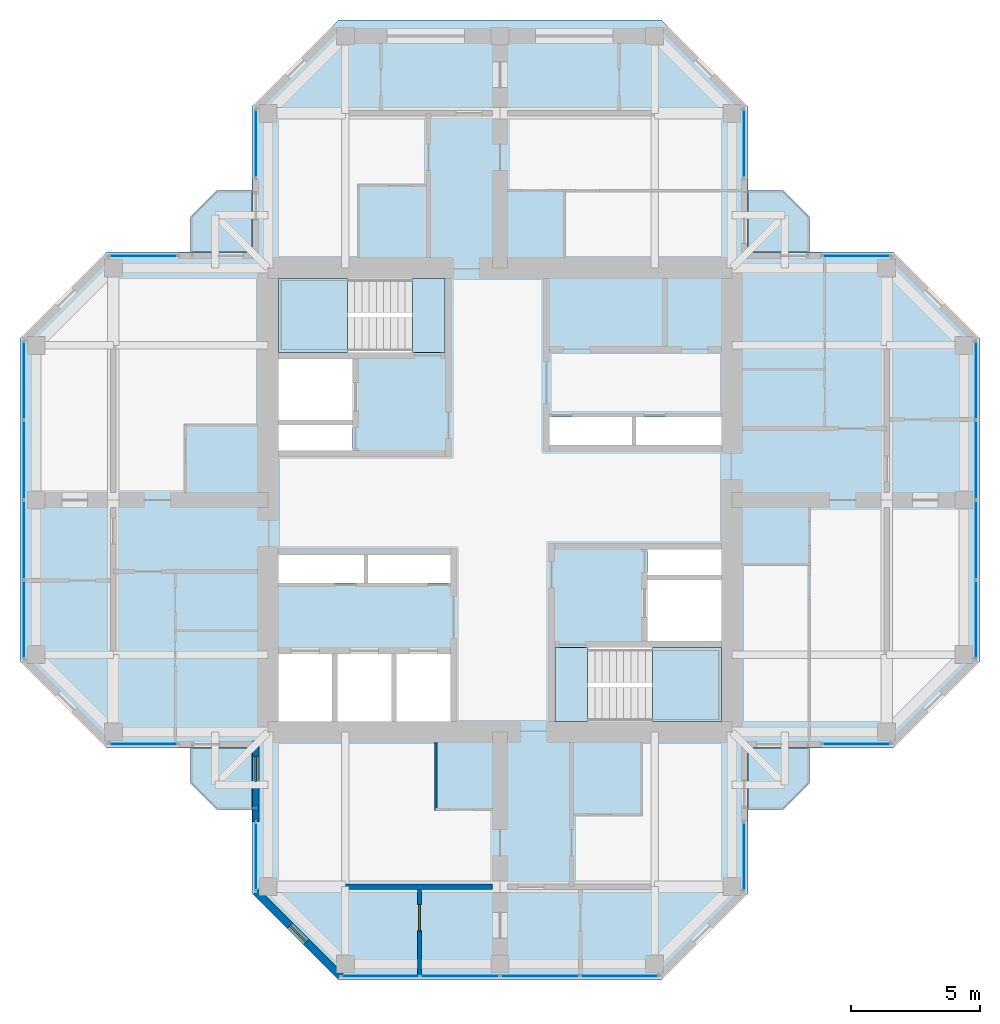
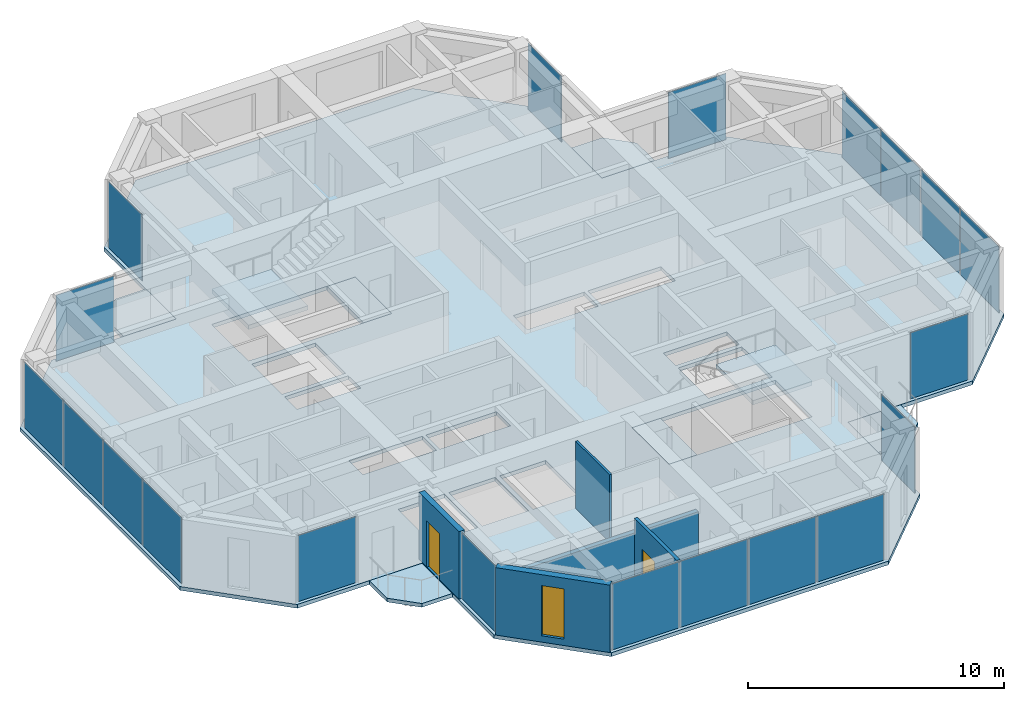
# One storey, part 7 of 13: 20 plates, 9 slabs, 5 walls, 2 doors, 1 window, 3 openings, 13 elements without a shape of their own.
"""IFC4 building model written with IfcOpenShell, lengths in metres."""

import ifcopenshell
import ifcopenshell.guid

model = None  # the IFC model being written
_history = None  # IfcOwnerHistory: only IFC2X3 demands one
_inside = {}  # id of a spatial element -> (the spatial element, [elements in it])
_under = {}  # id of a project, library or spatial element -> (it, [spatial elements below it])
_declared = {}  # id of a project -> (the project, [libraries it declares])
_typed = {}  # id of a type object -> (the type object, [elements of that type])
_made_of = {}  # id of a material, layer set ... -> (it, [elements and type objects made of it])


def new_model(schema):
    """Start an empty IFC model of exactly this schema.

    Asked for "IFC4X3", IfcOpenShell would pick the latest addendum, in which some entities
    have other attributes; the version numbers below select the first issue.
    IFC2X3 requires an IfcOwnerHistory on every rooted entity: one is made here for all.
    """
    global model, _history
    if schema == "IFC4X3":
        model = ifcopenshell.file(schema_version=(4, 3, 0, 0))
    else:
        model = ifcopenshell.file(schema=schema)
    _inside.clear()
    _under.clear()
    _declared.clear()
    _typed.clear()
    _made_of.clear()
    _history = None
    if model.schema == "IFC2X3":
        org = make("IfcOrganization", Name="unknown")
        user = make(
            "IfcPersonAndOrganization",
            ThePerson=make("IfcPerson", FamilyName="unknown"),
            TheOrganization=org,
        )
        app = make(
            "IfcApplication",
            ApplicationDeveloper=org,
            Version="unknown",
            ApplicationFullName="unknown",
            ApplicationIdentifier="unknown",
        )
        _history = make(
            "IfcOwnerHistory",
            OwningUser=user,
            OwningApplication=app,
            ChangeAction="ADDED",
            CreationDate=0,
        )
    return model


def make(cls, **values):
    """One entity of the class cls with the attributes given. An attribute that is None is left unset."""
    return model.create_entity(
        cls, **{name: value for name, value in values.items() if value is not None}
    )


def rooted(cls, **values):
    """An entity with a GlobalId (a new one), such as an element, a storey or a relation."""
    return make(cls, GlobalId=ifcopenshell.guid.new(), OwnerHistory=_history, **values)


def si_unit(unit_type, name, prefix=None):
    """IfcSIUnit, for example si_unit("LENGTHUNIT", "METRE", prefix="MILLI")."""
    return make("IfcSIUnit", UnitType=unit_type, Prefix=prefix, Name=name)


def assignment(units):
    """IfcUnitAssignment: the units of a project."""
    return None if units is None else make("IfcUnitAssignment", Units=units)


def point(xyz):
    """IfcCartesianPoint."""
    return None if xyz is None else make("IfcCartesianPoint", Coordinates=xyz)


def direction(xyz):
    """IfcDirection."""
    return None if xyz is None else make("IfcDirection", DirectionRatios=xyz)


def frame(location, z_axis=None, x_axis=None):
    """IfcAxis2Placement3D, a coordinate frame: its origin and axes. An axis left out is left unset."""
    return make(
        "IfcAxis2Placement3D",
        Location=point(location),
        Axis=direction(z_axis),
        RefDirection=direction(x_axis),
    )


def frame_2d(location, x_axis=None):
    """IfcAxis2Placement2D, a coordinate frame in the plane: its origin and x axis."""
    return make(
        "IfcAxis2Placement2D", Location=point(location), RefDirection=direction(x_axis)
    )


def origin():
    """The frame at (0, 0, 0) with its axes left unset."""
    return frame((0.0, 0.0, 0.0))


def origin_2d():
    """The frame at (0, 0) in the plane with its x axis left unset."""
    return frame_2d((0.0, 0.0))


def place(relative_to, where):
    """IfcLocalPlacement: puts the frame where relative to a parent placement (None: the world)."""
    return make(
        "IfcLocalPlacement", PlacementRelTo=relative_to, RelativePlacement=where
    )


def context(
    kind, dimensions, precision=None, world=None, true_north=None, identifier=None
):
    """IfcGeometricRepresentationContext, for example the 3D "Model" context."""
    return make(
        "IfcGeometricRepresentationContext",
        ContextIdentifier=identifier,
        ContextType=kind,
        CoordinateSpaceDimension=dimensions,
        Precision=precision,
        WorldCoordinateSystem=world,
        TrueNorth=true_north,
    )


def subcontext(parent, identifier, kind, view, scale=None):
    """IfcGeometricRepresentationSubContext, for example "Body" below "Model"."""
    return make(
        "IfcGeometricRepresentationSubContext",
        ContextIdentifier=identifier,
        ContextType=kind,
        ParentContext=parent,
        TargetScale=scale,
        TargetView=view,
    )


def project(units=None, contexts=None):
    """IfcProject with its units and contexts."""
    return rooted(
        "IfcProject",
        Name="project",
        RepresentationContexts=contexts,
        UnitsInContext=assignment(units),
    )


def spatial(cls, under=None, at=None, **own):
    """A site, building, storey or space (cls), placed at a placement, below another one or the project."""
    s = rooted(cls, ObjectPlacement=at, **own)
    if under is not None:
        _under.setdefault(under.id(), (under, []))[1].append(s)
    return s


def polyline(points):
    """IfcPolyline through the points."""
    return make("IfcPolyline", Points=[point(p) for p in points])


def profile(cls, at=None, kind="AREA", **sizes):
    """A parametric profile (cls). Its sizes go by their IFC names, for example OverallWidth=200.0."""
    return make(cls, ProfileType=kind, Position=at, **sizes)


def rectangle(**sizes):
    """IfcRectangleProfileDef."""
    return profile("IfcRectangleProfileDef", **sizes)


def hollow_rectangle(**sizes):
    """IfcRectangleHollowProfileDef."""
    return profile("IfcRectangleHollowProfileDef", **sizes)


def outline(outer, holes=None, kind="AREA"):
    """IfcArbitraryClosedProfileDef: a profile drawn as a closed curve; with holes, ...WithVoids."""
    if holes is None:
        return make("IfcArbitraryClosedProfileDef", ProfileType=kind, OuterCurve=outer)
    return make(
        "IfcArbitraryProfileDefWithVoids",
        ProfileType=kind,
        OuterCurve=outer,
        InnerCurves=holes,
    )


def extrude(swept, where, along, depth):
    """IfcExtrudedAreaSolid: the profile swept, set in the frame where, extruded along a direction by depth."""
    return make(
        "IfcExtrudedAreaSolid",
        SweptArea=swept,
        Position=where,
        ExtrudedDirection=direction(along),
        Depth=depth,
    )


def shape(context_of_items, identifier, shape_type, items):
    """IfcShapeRepresentation: the items that make up one representation, for example the "Body"."""
    return make(
        "IfcShapeRepresentation",
        ContextOfItems=context_of_items,
        RepresentationIdentifier=identifier,
        RepresentationType=shape_type,
        Items=items,
    )


def material(Name=None, Category=None):
    """IfcMaterial."""
    return make("IfcMaterial", Name=Name, Category=Category)


def layer(
    of_material, thickness, ventilated=None, Name=None, Category=None, Priority=None
):
    """IfcMaterialLayer: one layer of a wall or slab, of a material (None: an air gap)."""
    return make(
        "IfcMaterialLayer",
        Material=of_material,
        LayerThickness=thickness,
        IsVentilated=ventilated,
        Name=Name,
        Category=Category,
        Priority=Priority,
    )


def layer_set(layers, Name=None):
    """IfcMaterialLayerSet."""
    return make("IfcMaterialLayerSet", MaterialLayers=layers, LayerSetName=Name)


def constituent(of_material, Name=None, Category=None, fraction=None):
    """IfcMaterialConstituent: one of the materials an element consists of."""
    return make(
        "IfcMaterialConstituent",
        Name=Name,
        Material=of_material,
        Fraction=fraction,
        Category=Category,
    )


def constituent_set(constituents=None, Name=None):
    """IfcMaterialConstituentSet."""
    return make(
        "IfcMaterialConstituentSet", Name=Name, MaterialConstituents=constituents
    )


def made_of(thing, what):
    """Note that an element or type object is made of a material, layer set ...; save() writes the relation."""
    if what is not None:
        _made_of.setdefault(what.id(), (what, []))[1].append(thing)
    return thing


def type_object(cls, material=None, **own):
    """A type object (cls), such as IfcWallType, which elements share."""
    return made_of(rooted(cls, **own), material)


def element(
    cls,
    number,
    at=None,
    inside=None,
    cuts=None,
    type_object=None,
    material=None,
    context=None,
    identifier="Body",
    shape_type=None,
    held_by="IfcProductDefinitionShape",
    body=None,
    shapes=None,
    **own,
):
    """One element of the class cls, such as IfcWall. Its Tag is "e" and its number.

    at: its placement. inside: the storey or other place that contains it. cuts: it is an
    opening in that element (IfcRelVoidsElement). A single representation is given by context,
    identifier, shape_type and body (its items); several are given by shapes. held_by: the class
    of the entity that holds the representations. save() writes the other relations.
    """
    e = rooted(cls, Tag="e%d" % number, ObjectPlacement=at, **own)
    if body is not None:
        shapes = [shape(context, identifier, shape_type, body)]
    if shapes is not None:
        e.Representation = make(held_by, Representations=shapes)
    if inside is not None:
        _inside.setdefault(inside.id(), (inside, []))[1].append(e)
    if cuts is not None:
        rooted(
            "IfcRelVoidsElement", RelatingBuildingElement=cuts, RelatedOpeningElement=e
        )
    if type_object is not None:
        _typed.setdefault(type_object.id(), (type_object, []))[1].append(e)
    return made_of(e, material)


def fill(opening, filler):
    """IfcRelFillsElement: the door or window that sits in an opening."""
    return rooted(
        "IfcRelFillsElement",
        RelatingOpeningElement=opening,
        RelatedBuildingElement=filler,
    )


def aggregate(whole, parts):
    """IfcRelAggregates: a whole, such as a stair, and the parts it consists of."""
    return rooted("IfcRelAggregates", RelatingObject=whole, RelatedObjects=parts)


def save(model, path):
    """Write the relations noted so far, then the file.

    IfcRelAggregates (storeys below a building ...), IfcRelContainedInSpatialStructure (elements
    in a storey), IfcRelDefinesByType, IfcRelAssociatesMaterial and IfcRelDeclares: one each for
    every whole, place, type object, material and project.
    """
    for whole, parts in _under.values():
        aggregate(whole, parts)
    for where, things in _inside.values():
        rooted(
            "IfcRelContainedInSpatialStructure",
            RelatedElements=things,
            RelatingStructure=where,
        )
    for kind, things in _typed.values():
        rooted("IfcRelDefinesByType", RelatedObjects=things, RelatingType=kind)
    for what, things in _made_of.values():
        rooted("IfcRelAssociatesMaterial", RelatedObjects=things, RelatingMaterial=what)
    for by, libraries in _declared.values():
        rooted("IfcRelDeclares", RelatingContext=by, RelatedDefinitions=libraries)
    model.write(path)


model = new_model("IFC4")

# Units and contexts
model_context = context("Model", 3, precision=1e-05, world=origin(), true_north=direction((0.0, 1.0)))
body_context = subcontext(model_context, "Body", "Model", "MODEL_VIEW")
ifc_project = project(units=[si_unit("LENGTHUNIT", "METRE"), si_unit("AREAUNIT", "SQUARE_METRE"), si_unit("VOLUMEUNIT", "CUBIC_METRE"), si_unit("PLANEANGLEUNIT", "RADIAN"), si_unit("MASSUNIT", "GRAM", prefix="KILO")], contexts=[model_context])

# Site, building, storey
site_placement = place(None, origin())
site = spatial("IfcSite", under=ifc_project, at=site_placement, CompositionType="ELEMENT")
building_placement = place(site_placement, origin())
building = spatial("IfcBuilding", under=site, at=building_placement, Name="Torre Cruceta", CompositionType="ELEMENT")
storey_placement = place(building_placement, frame((0.0, 0.0, 278.10009765625)))
storey = spatial("IfcBuildingStorey", under=building, at=storey_placement, Name="L72", CompositionType="ELEMENT", Elevation=278.10009765625)

# Slabs
ifc_material_1 = material(Name="Concrete G35 (fck 35 MPa)", Category="concrete")
ifc_layer_1 = layer(ifc_material_1, 0.179931640625)
ifc_layer_set_1 = layer_set([ifc_layer_1], Name="Concrete G35 (fck 35 MPa)")
slab_type_1 = type_object("IfcSlabType", Name="BALCONY SLAB 180", PredefinedType="USERDEFINED", material=ifc_layer_set_1)
slab_1_placement = place(storey_placement, frame((0.0, 0.0, -0.18017578125)))
element("IfcSlab", 1, at=slab_1_placement, inside=storey, type_object=slab_type_1, Name="Balcony slab L72 N", ObjectType="BALCONY", PredefinedType="USERDEFINED", context=body_context, shape_type="SweptSolid", body=[
    extrude(outline(polyline([(-12.0, 11.0), (-11.0, 12.0), (-9.6201171875, 12.0), (-9.6201171875, 9.6201171875), (-12.0, 9.6201171875), (-12.0, 11.0)])), origin(), (0.0, 0.0, 1.0), 0.18017578125),
])
slab_2_placement = place(storey_placement, frame((0.0, 0.0, -0.18017578125)))
element("IfcSlab", 2, at=slab_2_placement, inside=storey, type_object=slab_type_1, Name="Balcony slab L72 E", ObjectType="BALCONY", PredefinedType="USERDEFINED", context=body_context, shape_type="SweptSolid", body=[
    extrude(outline(polyline([(11.0, 12.0), (12.0, 11.0), (12.0, 9.6201171875), (9.6201171875, 9.6201171875), (9.6201171875, 12.0), (11.0, 12.0)])), origin(), (0.0, 0.0, 1.0), 0.18017578125),
])
slab_3_placement = place(storey_placement, frame((0.0, 0.0, -0.18017578125)))
element("IfcSlab", 3, at=slab_3_placement, inside=storey, type_object=slab_type_1, Name="Balcony slab L72 S", ObjectType="BALCONY", PredefinedType="USERDEFINED", context=body_context, shape_type="SweptSolid", body=[
    extrude(outline(polyline([(12.0, -11.0), (11.0, -12.0), (9.6201171875, -12.0), (9.6201171875, -9.6201171875), (12.0, -9.6201171875), (12.0, -11.0)])), origin(), (0.0, 0.0, 1.0), 0.18017578125),
])
slab_4_placement = place(storey_placement, frame((0.0, 0.0, -0.18017578125)))
element("IfcSlab", 4, at=slab_4_placement, inside=storey, type_object=slab_type_1, Name="Balcony slab L72 W", ObjectType="BALCONY", PredefinedType="USERDEFINED", context=body_context, shape_type="SweptSolid", body=[
    extrude(outline(polyline([(-11.0, -12.0), (-12.0, -11.0), (-12.0, -9.6201171875), (-9.6201171875, -9.6201171875), (-9.6201171875, -12.0), (-11.0, -12.0)])), origin(), (0.0, 0.0, 1.0), 0.18017578125),
])

# Curtain wall, plate
ifc_material_2 = material(Name="Aluminium unitised curtain wall", Category="aluminium")
curtain_wall_type = type_object("IfcCurtainWallType", Name="CURTAIN WALL CW-E CO-LIVING TOP", PredefinedType="USERDEFINED", material=ifc_material_2)
curtain_wall_1_placement = place(storey_placement, origin())
curtain_wall_1 = element("IfcCurtainWall", 5, at=curtain_wall_1_placement, inside=storey, type_object=curtain_wall_type, Name="CW-E L72 E tip 02", ObjectType="UNITISED", PredefinedType="USERDEFINED")
ifc_material_3 = material(Name="Laminated insulating glass unit, low-iron clear", Category="glass")
ifc_material_4 = material(Name="Laminated insulating glass unit, diagonal frit 50 %", Category="glass")
ifc_layer_2 = layer(ifc_material_4, 0.028076171875)
ifc_layer_set_2 = layer_set([ifc_layer_2], Name="Laminated insulating glass unit, diagonal frit 50 %")
plate_type_1 = type_object("IfcPlateType", Name="CW-E OPERABLE VENT PANEL 28", PredefinedType="CURTAIN_PANEL", material=ifc_layer_set_2)
plate_1_placement = place(storey_placement, frame((18.469970703125, -1.548583984375, 0.009765625), z_axis=(0.0, 0.0, 1.0), x_axis=(0.0, 1.0, 0.0)))
plate_1 = element("IfcPlate", 6, at=plate_1_placement, type_object=plate_type_1, material=ifc_material_3, Name="CW-E vent 2", PredefinedType="CURTAIN_PANEL", context=body_context, shape_type="SweptSolid", body=[
    extrude(rectangle(XDim=3.042236328125, YDim=0.028076171875, at=origin_2d()), origin(), (0.0, 0.0, 1.0), 3.155029296875),
])

curtain_wall_2_placement = place(storey_placement, origin())
curtain_wall_2 = element("IfcCurtainWall", 7, at=curtain_wall_2_placement, inside=storey, type_object=curtain_wall_type, Name="CW-E L72 W tip 12", ObjectType="UNITISED", PredefinedType="USERDEFINED")
plate_2_placement = place(storey_placement, frame((-18.469970703125, 1.548583984375, 0.009765625), z_axis=(0.0, 0.0, 1.0), x_axis=(0.0, -1.0, 0.0)))
plate_2 = element("IfcPlate", 8, at=plate_2_placement, type_object=plate_type_1, material=ifc_material_3, Name="CW-E vent 2", PredefinedType="CURTAIN_PANEL", context=body_context, shape_type="SweptSolid", body=[
    extrude(rectangle(XDim=3.042236328125, YDim=0.028076171875, at=origin_2d()), origin(), (0.0, 0.0, 1.0), 3.155029296875),
])

curtain_wall_3_placement = place(storey_placement, origin())
curtain_wall_3 = element("IfcCurtainWall", 9, at=curtain_wall_3_placement, inside=storey, type_object=curtain_wall_type, Name="CW-E L72 S tip 17", ObjectType="UNITISED", PredefinedType="USERDEFINED")
plate_3_placement = place(storey_placement, frame((-1.548583984375, -18.469970703125, 0.009765625), z_axis=(0.0, 0.0, 1.0), x_axis=(1.0, 0.0, 0.0)))
plate_3 = element("IfcPlate", 10, at=plate_3_placement, type_object=plate_type_1, material=ifc_material_3, Name="CW-E vent 2", PredefinedType="CURTAIN_PANEL", context=body_context, shape_type="SweptSolid", body=[
    extrude(rectangle(XDim=3.042236328125, YDim=0.028076171875, at=origin_2d()), origin(), (0.0, 0.0, 1.0), 3.155029296875),
])

curtain_wall_4_placement = place(storey_placement, origin())
curtain_wall_4 = element("IfcCurtainWall", 11, at=curtain_wall_4_placement, inside=storey, type_object=curtain_wall_type, Name="CW-E L72 E side 00", ObjectType="UNITISED", PredefinedType="USERDEFINED")
ifc_material_5 = material(Name="Laminated insulating glass unit, diagonal frit 50 %", Category="glass")
ifc_layer_3 = layer(ifc_material_5, 0.028076171875)
ifc_layer_set_3 = layer_set([ifc_layer_3], Name="Laminated insulating glass unit, diagonal frit 50 %")
plate_type_2 = type_object("IfcPlateType", Name="CW-E PANEL 28", PredefinedType="CURTAIN_PANEL", material=ifc_layer_set_3)
plate_4_placement = place(storey_placement, frame((13.832275390625, -9.469970703125, 0.009765625), z_axis=(0.0, 0.0, 1.0), x_axis=(1.0, 0.0, 0.0)))
plate_4 = element("IfcPlate", 12, at=plate_4_placement, type_object=plate_type_2, material=ifc_material_3, Name="CW-E panel 1", PredefinedType="CURTAIN_PANEL", context=body_context, shape_type="SweptSolid", body=[
    extrude(rectangle(XDim=2.61474609375, YDim=0.028076171875, at=origin_2d()), origin(), (0.0, 0.0, 1.0), 3.155029296875),
])
aggregate(curtain_wall_4, [plate_4])

# Plate
plate_5_placement = place(storey_placement, frame((18.469970703125, -4.63232421875, 0.009765625), z_axis=(0.0, 0.0, 1.0), x_axis=(0.0, 1.0, 0.0)))
plate_5 = element("IfcPlate", 13, at=plate_5_placement, type_object=plate_type_2, material=ifc_material_3, Name="CW-E panel 1", PredefinedType="CURTAIN_PANEL", context=body_context, shape_type="SweptSolid", body=[
    extrude(rectangle(XDim=3.014892578125, YDim=0.028076171875, at=origin_2d()), origin(), (0.0, 0.0, 1.0), 3.155029296875),
])

ifc_material_6 = material(Name="Laminated insulating glass unit, diagonal frit 50 %", Category="glass")
plate_6_placement = place(storey_placement, frame((18.469970703125, 1.548583984375, 0.009765625), z_axis=(0.0, 0.0, 1.0), x_axis=(0.0, 1.0, 0.0)))
plate_6 = element("IfcPlate", 14, at=plate_6_placement, type_object=plate_type_2, material=ifc_material_6, Name="CW-E panel 3", PredefinedType="CURTAIN_PANEL", context=body_context, shape_type="SweptSolid", body=[
    extrude(rectangle(XDim=3.042236328125, YDim=0.028076171875, at=origin_2d()), origin(), (0.0, 0.0, 1.0), 3.155029296875),
])

plate_7_placement = place(storey_placement, frame((18.469970703125, 4.63232421875, 0.009765625), z_axis=(0.0, 0.0, 1.0), x_axis=(0.0, 1.0, 0.0)))
plate_7 = element("IfcPlate", 15, at=plate_7_placement, type_object=plate_type_2, material=ifc_material_6, Name="CW-E panel 4", PredefinedType="CURTAIN_PANEL", context=body_context, shape_type="SweptSolid", body=[
    extrude(rectangle(XDim=3.014892578125, YDim=0.028076171875, at=origin_2d()), origin(), (0.0, 0.0, 1.0), 3.155029296875),
])

aggregate(curtain_wall_1, [plate_5, plate_1, plate_6, plate_7])

# Curtain wall, plate
curtain_wall_5_placement = place(storey_placement, origin())
curtain_wall_5 = element("IfcCurtainWall", 16, at=curtain_wall_5_placement, inside=storey, type_object=curtain_wall_type, Name="CW-E L72 E side 04", ObjectType="UNITISED", PredefinedType="USERDEFINED")
plate_8_placement = place(storey_placement, frame((13.832275390625, 9.469970703125, 0.009765625), z_axis=(0.0, 0.0, 1.0), x_axis=(-1.0, 0.0, 0.0)))
plate_8 = element("IfcPlate", 17, at=plate_8_placement, type_object=plate_type_2, material=ifc_material_3, Name="CW-E panel 1", PredefinedType="CURTAIN_PANEL", context=body_context, shape_type="SweptSolid", body=[
    extrude(rectangle(XDim=2.61474609375, YDim=0.028076171875, at=origin_2d()), origin(), (0.0, 0.0, 1.0), 3.155029296875),
])
aggregate(curtain_wall_5, [plate_8])

curtain_wall_6_placement = place(storey_placement, origin())
curtain_wall_6 = element("IfcCurtainWall", 18, at=curtain_wall_6_placement, inside=storey, type_object=curtain_wall_type, Name="CW-E L72 N side 05", ObjectType="UNITISED", PredefinedType="USERDEFINED")
plate_9_placement = place(storey_placement, frame((9.469970703125, 13.832275390625, 0.009765625), z_axis=(0.0, 0.0, 1.0), x_axis=(0.0, 1.0, 0.0)))
plate_9 = element("IfcPlate", 19, at=plate_9_placement, type_object=plate_type_2, material=ifc_material_3, Name="CW-E panel 1", PredefinedType="CURTAIN_PANEL", context=body_context, shape_type="SweptSolid", body=[
    extrude(rectangle(XDim=2.61474609375, YDim=0.028076171875, at=origin_2d()), origin(), (0.0, 0.0, 1.0), 3.155029296875),
])
aggregate(curtain_wall_6, [plate_9])

curtain_wall_7_placement = place(storey_placement, origin())
curtain_wall_7 = element("IfcCurtainWall", 20, at=curtain_wall_7_placement, inside=storey, type_object=curtain_wall_type, Name="CW-E L72 N side 09", ObjectType="UNITISED", PredefinedType="USERDEFINED")
plate_10_placement = place(storey_placement, frame((-9.469970703125, 13.832275390625, 0.009765625), z_axis=(0.0, 0.0, 1.0), x_axis=(0.0, -1.0, 0.0)))
plate_10 = element("IfcPlate", 21, at=plate_10_placement, type_object=plate_type_2, material=ifc_material_3, Name="CW-E panel 1", PredefinedType="CURTAIN_PANEL", context=body_context, shape_type="SweptSolid", body=[
    extrude(rectangle(XDim=2.61474609375, YDim=0.028076171875, at=origin_2d()), origin(), (0.0, 0.0, 1.0), 3.155029296875),
])
aggregate(curtain_wall_7, [plate_10])

curtain_wall_8_placement = place(storey_placement, origin())
curtain_wall_8 = element("IfcCurtainWall", 22, at=curtain_wall_8_placement, inside=storey, type_object=curtain_wall_type, Name="CW-E L72 W side 10", ObjectType="UNITISED", PredefinedType="USERDEFINED")
plate_11_placement = place(storey_placement, frame((-13.832275390625, 9.469970703125, 0.009765625), z_axis=(0.0, 0.0, 1.0), x_axis=(-1.0, 0.0, 0.0)))
plate_11 = element("IfcPlate", 23, at=plate_11_placement, type_object=plate_type_2, material=ifc_material_3, Name="CW-E panel 1", PredefinedType="CURTAIN_PANEL", context=body_context, shape_type="SweptSolid", body=[
    extrude(rectangle(XDim=2.61474609375, YDim=0.028076171875, at=origin_2d()), origin(), (0.0, 0.0, 1.0), 3.155029296875),
])
aggregate(curtain_wall_8, [plate_11])

# Plate
plate_12_placement = place(storey_placement, frame((-18.469970703125, 4.63232421875, 0.009765625), z_axis=(0.0, 0.0, 1.0), x_axis=(0.0, -1.0, 0.0)))
plate_12 = element("IfcPlate", 24, at=plate_12_placement, type_object=plate_type_2, material=ifc_material_3, Name="CW-E panel 1", PredefinedType="CURTAIN_PANEL", context=body_context, shape_type="SweptSolid", body=[
    extrude(rectangle(XDim=3.014892578125, YDim=0.028076171875, at=origin_2d()), origin(), (0.0, 0.0, 1.0), 3.155029296875),
])

plate_13_placement = place(storey_placement, frame((-18.469970703125, -1.548583984375, 0.009765625), z_axis=(0.0, 0.0, 1.0), x_axis=(0.0, -1.0, 0.0)))
plate_13 = element("IfcPlate", 25, at=plate_13_placement, type_object=plate_type_2, material=ifc_material_6, Name="CW-E panel 3", PredefinedType="CURTAIN_PANEL", context=body_context, shape_type="SweptSolid", body=[
    extrude(rectangle(XDim=3.042236328125, YDim=0.028076171875, at=origin_2d()), origin(), (0.0, 0.0, 1.0), 3.155029296875),
])

plate_14_placement = place(storey_placement, frame((-18.469970703125, -4.63232421875, 0.009765625), z_axis=(0.0, 0.0, 1.0), x_axis=(0.0, -1.0, 0.0)))
plate_14 = element("IfcPlate", 26, at=plate_14_placement, type_object=plate_type_2, material=ifc_material_6, Name="CW-E panel 4", PredefinedType="CURTAIN_PANEL", context=body_context, shape_type="SweptSolid", body=[
    extrude(rectangle(XDim=3.014892578125, YDim=0.028076171875, at=origin_2d()), origin(), (0.0, 0.0, 1.0), 3.155029296875),
])

aggregate(curtain_wall_2, [plate_12, plate_2, plate_13, plate_14])

# Curtain wall, plate
curtain_wall_9_placement = place(storey_placement, origin())
curtain_wall_9 = element("IfcCurtainWall", 27, at=curtain_wall_9_placement, inside=storey, type_object=curtain_wall_type, Name="CW-E L72 W side 14", ObjectType="UNITISED", PredefinedType="USERDEFINED")
plate_15_placement = place(storey_placement, frame((-13.832275390625, -9.469970703125, 0.009765625), z_axis=(0.0, 0.0, 1.0), x_axis=(1.0, 0.0, 0.0)))
plate_15 = element("IfcPlate", 28, at=plate_15_placement, type_object=plate_type_2, material=ifc_material_3, Name="CW-E panel 1", PredefinedType="CURTAIN_PANEL", context=body_context, shape_type="SweptSolid", body=[
    extrude(rectangle(XDim=2.61474609375, YDim=0.028076171875, at=origin_2d()), origin(), (0.0, 0.0, 1.0), 3.155029296875),
])
aggregate(curtain_wall_9, [plate_15])

curtain_wall_10_placement = place(storey_placement, origin())
curtain_wall_10 = element("IfcCurtainWall", 29, at=curtain_wall_10_placement, inside=storey, type_object=curtain_wall_type, Name="CW-E L72 S side 15", ObjectType="UNITISED", PredefinedType="USERDEFINED")
plate_16_placement = place(storey_placement, frame((-9.469970703125, -13.832275390625, 0.009765625), z_axis=(0.0, 0.0, 1.0), x_axis=(0.0, -1.0, 0.0)))
plate_16 = element("IfcPlate", 30, at=plate_16_placement, type_object=plate_type_2, material=ifc_material_3, Name="CW-E panel 1", PredefinedType="CURTAIN_PANEL", context=body_context, shape_type="SweptSolid", body=[
    extrude(rectangle(XDim=2.61474609375, YDim=0.028076171875, at=origin_2d()), origin(), (0.0, 0.0, 1.0), 3.155029296875),
])
aggregate(curtain_wall_10, [plate_16])

# Plate
plate_17_placement = place(storey_placement, frame((-4.63232421875, -18.469970703125, 0.009765625), z_axis=(0.0, 0.0, 1.0), x_axis=(1.0, 0.0, 0.0)))
plate_17 = element("IfcPlate", 31, at=plate_17_placement, type_object=plate_type_2, material=ifc_material_3, Name="CW-E panel 1", PredefinedType="CURTAIN_PANEL", context=body_context, shape_type="SweptSolid", body=[
    extrude(rectangle(XDim=3.014892578125, YDim=0.028076171875, at=origin_2d()), origin(), (0.0, 0.0, 1.0), 3.155029296875),
])

plate_18_placement = place(storey_placement, frame((1.548583984375, -18.469970703125, 0.009765625), z_axis=(0.0, 0.0, 1.0), x_axis=(1.0, 0.0, 0.0)))
plate_18 = element("IfcPlate", 32, at=plate_18_placement, type_object=plate_type_2, material=ifc_material_6, Name="CW-E panel 3", PredefinedType="CURTAIN_PANEL", context=body_context, shape_type="SweptSolid", body=[
    extrude(rectangle(XDim=3.042236328125, YDim=0.028076171875, at=origin_2d()), origin(), (0.0, 0.0, 1.0), 3.155029296875),
])

plate_19_placement = place(storey_placement, frame((4.63232421875, -18.469970703125, 0.009765625), z_axis=(0.0, 0.0, 1.0), x_axis=(1.0, 0.0, 0.0)))
plate_19 = element("IfcPlate", 33, at=plate_19_placement, type_object=plate_type_2, material=ifc_material_6, Name="CW-E panel 4", PredefinedType="CURTAIN_PANEL", context=body_context, shape_type="SweptSolid", body=[
    extrude(rectangle(XDim=3.014892578125, YDim=0.028076171875, at=origin_2d()), origin(), (0.0, 0.0, 1.0), 3.155029296875),
])

aggregate(curtain_wall_3, [plate_17, plate_3, plate_18, plate_19])

# Curtain wall, plate
curtain_wall_11_placement = place(storey_placement, origin())
curtain_wall_11 = element("IfcCurtainWall", 34, at=curtain_wall_11_placement, inside=storey, type_object=curtain_wall_type, Name="CW-E L72 S side 19", ObjectType="UNITISED", PredefinedType="USERDEFINED")
plate_20_placement = place(storey_placement, frame((9.469970703125, -13.832275390625, 0.009765625), z_axis=(0.0, 0.0, 1.0), x_axis=(0.0, 1.0, 0.0)))
plate_20 = element("IfcPlate", 35, at=plate_20_placement, type_object=plate_type_2, material=ifc_material_3, Name="CW-E panel 1", PredefinedType="CURTAIN_PANEL", context=body_context, shape_type="SweptSolid", body=[
    extrude(rectangle(XDim=2.61474609375, YDim=0.028076171875, at=origin_2d()), origin(), (0.0, 0.0, 1.0), 3.155029296875),
])
aggregate(curtain_wall_11, [plate_20])

# Slab
ifc_material_7 = material(Name="Concrete G35 (fck 35 MPa)", Category="concrete")
ifc_layer_4 = layer(ifc_material_7, 0.179931640625)
ifc_layer_set_4 = layer_set([ifc_layer_4], Name="Concrete G35 (fck 35 MPa)")
slab_type_2 = type_object("IfcSlabType", Name="FLOOR SLAB 180", PredefinedType="FLOOR", material=ifc_layer_set_4)
slab_5_placement = place(storey_placement, frame((0.0, 0.0, -0.18017578125)))
element("IfcSlab", 36, at=slab_5_placement, inside=storey, type_object=slab_type_2, Name="Floor Slab L72", PredefinedType="FLOOR", context=body_context, shape_type="SweptSolid", body=[
    extrude(outline(polyline([(9.6201171875, -9.6201171875), (9.6201171875, -15.2568359375), (6.2568359375, -18.6201171875), (-6.2568359375, -18.6201171875), (-9.6201171875, -15.2568359375), (-9.6201171875, -9.6201171875), (-15.2568359375, -9.6201171875), (-18.6201171875, -6.2568359375), (-18.6201171875, 6.2568359375), (-15.2568359375, 9.6201171875), (-9.6201171875, 9.6201171875), (-9.6201171875, 15.2568359375), (-6.2568359375, 18.6201171875), (6.2568359375, 18.6201171875), (9.6201171875, 15.2568359375), (9.6201171875, 9.6201171875), (15.2568359375, 9.6201171875), (18.6201171875, 6.2568359375), (18.6201171875, -6.2568359375), (15.2568359375, -9.6201171875), (9.6201171875, -9.6201171875)]), holes=[polyline([(1.925048828125, 2.125), (5.125, 2.125), (5.125, 3.22509765625), (1.925048828125, 3.22509765625), (1.925048828125, 2.125)]), polyline([(5.27490234375, 2.125), (8.60009765625, 2.125), (8.60009765625, 3.22509765625), (5.27490234375, 3.22509765625), (5.27490234375, 2.125)]), polyline([(-8.60009765625, 3.10009765625), (-5.72509765625, 3.10009765625), (-5.72509765625, 5.47509765625), (-8.60009765625, 5.47509765625), (-8.60009765625, 3.10009765625)]), polyline([(-8.60009765625, 1.925048828125), (-5.72509765625, 1.925048828125), (-5.72509765625, 2.89990234375), (-8.60009765625, 2.89990234375), (-8.60009765625, 1.925048828125)]), polyline([(-4.0166015625, -8.60009765625), (-1.925048828125, -8.60009765625), (-1.925048828125, -5.97509765625), (-4.0166015625, -5.97509765625), (-4.0166015625, -8.60009765625)]), polyline([(-6.308349609375, -8.60009765625), (-4.216552734375, -8.60009765625), (-4.216552734375, -5.97509765625), (-6.308349609375, -5.97509765625), (-6.308349609375, -8.60009765625)]), polyline([(-8.60009765625, -8.60009765625), (-6.50830078125, -8.60009765625), (-6.50830078125, -5.97509765625), (-8.60009765625, -5.97509765625), (-8.60009765625, -8.60009765625)]), polyline([(-5.125, -3.22509765625), (-1.925048828125, -3.22509765625), (-1.925048828125, -2.125), (-5.125, -2.125), (-5.125, -3.22509765625)]), polyline([(-8.60009765625, -3.22509765625), (-5.27490234375, -3.22509765625), (-5.27490234375, -2.125), (-8.60009765625, -2.125), (-8.60009765625, -3.22509765625)]), polyline([(5.72509765625, -5.47509765625), (8.60009765625, -5.47509765625), (8.60009765625, -3.10009765625), (5.72509765625, -3.10009765625), (5.72509765625, -5.47509765625)]), polyline([(5.72509765625, -2.89990234375), (8.60009765625, -2.89990234375), (8.60009765625, -1.925048828125), (5.72509765625, -1.925048828125), (5.72509765625, -2.89990234375)]), polyline([(-8.60009765625, 5.72509765625), (-8.60009765625, 8.60009765625), (-3.39990234375, 8.60009765625), (-2.125, 8.60009765625), (-2.125, 5.72509765625), (-3.39990234375, 5.72509765625), (-8.60009765625, 5.72509765625)]), polyline([(2.125, -5.72509765625), (3.39990234375, -5.72509765625), (8.60009765625, -5.72509765625), (8.60009765625, -8.60009765625), (3.39990234375, -8.60009765625), (2.125, -8.60009765625), (2.125, -5.72509765625)])]), origin(), (0.0, 0.0, 1.0), 0.18017578125),
])

# Stair, slab
ifc_material_8 = material(Name="Concrete G30 (fck 30 MPa)", Category="concrete")
stair_type = type_object("IfcStairType", Name="STAIR HALF-TURN 1300", PredefinedType="HALF_TURN_STAIR", material=ifc_material_8)
stair_1_placement = place(storey_placement, origin())
stair_1 = element("IfcStair", 37, at=stair_1_placement, inside=storey, type_object=stair_type, Name="Stair ST1 L72", PredefinedType="HALF_TURN_STAIR")
ifc_material_9 = material(Name="Concrete G30 (fck 30 MPa)", Category="concrete")
ifc_layer_5 = layer(ifc_material_9, 0.199951171875)
ifc_layer_set_5 = layer_set([ifc_layer_5], Name="Concrete G30 (fck 30 MPa)")
slab_type_3 = type_object("IfcSlabType", Name="STAIR LANDING 200", PredefinedType="LANDING", material=ifc_layer_set_5)
slab_6_placement = place(storey_placement, frame((0.0, 0.0, 1.5)))
slab_6 = element("IfcSlab", 38, at=slab_6_placement, type_object=slab_type_3, Name="ST1 landing 1", PredefinedType="LANDING", context=body_context, shape_type="SweptSolid", body=[
    extrude(outline(polyline([(-8.60009765625, 5.72509765625), (-5.919921875, 5.72509765625), (-5.919921875, 8.60009765625), (-8.60009765625, 8.60009765625), (-8.60009765625, 5.72509765625)])), origin(), (0.0, 0.0, 1.0), 0.199951171875),
])
aggregate(stair_1, [slab_6])

stair_2_placement = place(storey_placement, origin())
stair_2 = element("IfcStair", 39, at=stair_2_placement, inside=storey, type_object=stair_type, Name="Stair ST2 L72", PredefinedType="HALF_TURN_STAIR")
slab_7_placement = place(storey_placement, frame((0.0, 0.0, 1.5)))
slab_7 = element("IfcSlab", 40, at=slab_7_placement, type_object=slab_type_3, Name="ST2 landing 1", PredefinedType="LANDING", context=body_context, shape_type="SweptSolid", body=[
    extrude(outline(polyline([(5.919921875, -8.60009765625), (8.60009765625, -8.60009765625), (8.60009765625, -5.72509765625), (5.919921875, -5.72509765625), (5.919921875, -8.60009765625)])), origin(), (0.0, 0.0, 1.0), 0.199951171875),
])
aggregate(stair_2, [slab_7])

# Slabs
slab_8_placement = place(storey_placement, frame((0.0, 0.0, -0.2001953125)))
element("IfcSlab", 41, at=slab_8_placement, inside=storey, type_object=slab_type_3, Name="Stair ST1 floor landing L72", PredefinedType="LANDING", context=body_context, shape_type="SweptSolid", body=[
    extrude(outline(polyline([(-2.125, 8.60009765625), (-2.125, 5.72509765625), (-3.39990234375, 5.72509765625), (-3.39990234375, 8.60009765625), (-2.125, 8.60009765625)])), origin(), (0.0, 0.0, 1.0), 0.2001953125),
])
slab_9_placement = place(storey_placement, frame((0.0, 0.0, -0.2001953125)))
element("IfcSlab", 42, at=slab_9_placement, inside=storey, type_object=slab_type_3, Name="Stair ST2 floor landing L72", PredefinedType="LANDING", context=body_context, shape_type="SweptSolid", body=[
    extrude(outline(polyline([(2.125, -8.60009765625), (2.125, -5.72509765625), (3.39990234375, -5.72509765625), (3.39990234375, -8.60009765625), (2.125, -8.60009765625)])), origin(), (0.0, 0.0, 1.0), 0.2001953125),
])

# Wall
ifc_material_10 = material(Name="Water-resistant plasterboard on steel studs", Category="steel")
ifc_layer_6 = layer(ifc_material_10, 0.10009765625)
ifc_layer_set_6 = layer_set([ifc_layer_6], Name="Water-resistant plasterboard on steel studs")
wall_type_1 = type_object("IfcWallType", Name="BATHROOM WALL 100", PredefinedType="PARTITIONING", material=ifc_layer_set_6)
wall_1_placement = place(storey_placement, frame((-2.5, -9.39990234375, 0.0), z_axis=(0.0, 0.0, 1.0), x_axis=(0.0, -1.0, 0.0)))
element("IfcWall", 43, at=wall_1_placement, inside=storey, type_object=wall_type_1, Name="PT4 L72-S-U1RBB", PredefinedType="PARTITIONING", context=body_context, shape_type="SweptSolid", body=[
    extrude(rectangle(XDim=2.650146484375, YDim=0.10009765625, at=frame_2d((1.3251953125, 0.0))), origin(), (0.0, 0.0, 1.0), 3.219970703125),
])

# Wall, opening, window
ifc_material_11 = material(Name="Concrete G30 (fck 30 MPa)", Category="concrete")
ifc_layer_7 = layer(ifc_material_11, 0.300048828125)
ifc_layer_set_7 = layer_set([ifc_layer_7], Name="Concrete G30 (fck 30 MPa)")
wall_type_2 = type_object("IfcWallType", Name="EXPOSED CONCRETE FACADE WALL 300", PredefinedType="SOLIDWALL", material=ifc_layer_set_7)
wall_2_placement = place(storey_placement, frame((-9.469970703125, -15.194580078125, 0.0), z_axis=(0.0, 0.0, 1.0), x_axis=(0.707106781187, -0.707106781187, 0.0)))
wall_2 = element("IfcWall", 44, at=wall_2_placement, inside=storey, type_object=wall_type_2, Name="EW1 facade wall L72 S chamfer 16", PredefinedType="SOLIDWALL", context=body_context, shape_type="SweptSolid", body=[
    extrude(rectangle(XDim=4.632080078125, YDim=0.300048828125, at=frame_2d((2.31591796875, 0.0))), origin(), (0.0, 0.0, 1.0), 3.219970703125),
])
opening_1_placement = place(wall_2_placement, frame((1.865966796875, 0.0, 0.300048828125)))
opening_1 = element("IfcOpeningElement", 45, at=opening_1_placement, cuts=wall_2, Name="Opening WN5", PredefinedType="OPENING", context=body_context, shape_type="SweptSolid", body=[
    extrude(rectangle(XDim=0.89990234375, YDim=2.39990234375, at=frame_2d((0.449951171875, 1.199951171875))), frame((0.0, 0.159912109375, 0.0), z_axis=(0.0, -1.0, 0.0), x_axis=(1.0, 0.0, 0.0)), (0.0, 0.0, 1.0), 0.320068359375),
])
ifc_material_12 = material(Name="Aluminium window frame", Category="aluminium")
ifc_constituent_1 = constituent(ifc_material_12, Name="Frame")
ifc_material_13 = material(Name="Laminated insulating glass unit, low-iron clear", Category="glass")
ifc_constituent_2 = constituent(ifc_material_13, Name="Glazing")
ifc_constituent_set_1 = constituent_set(constituents=[ifc_constituent_1, ifc_constituent_2], Name="Aluminium window")
window_type = type_object("IfcWindowType", Name="CHAMFER SLOT WINDOW 900X2400", PartitioningType="SINGLE_PANEL", PredefinedType="WINDOW", material=ifc_constituent_set_1)
window_placement = place(opening_1_placement, origin())
window = element("IfcWindow", 46, at=window_placement, inside=storey, type_object=window_type, Name="WN5 L72 S 1", OverallHeight=2.39990234375, OverallWidth=0.89990234375, PartitioningType="SINGLE_PANEL", PredefinedType="WINDOW", context=body_context, shape_type="SweptSolid", body=[
    extrude(hollow_rectangle(XDim=0.89990234375, YDim=2.39990234375, WallThickness=0.06005859375, at=frame_2d((0.449951171875, 1.199951171875))), frame((0.0, 0.030029296875, 0.0), z_axis=(0.0, -1.0, 0.0), x_axis=(1.0, 0.0, 0.0)), (0.0, 0.0, 1.0), 0.06005859375),
    extrude(rectangle(XDim=0.77880859375, YDim=2.27880859375, at=frame_2d((0.449951171875, 1.199951171875))), frame((0.0, 0.030029296875, 0.0), z_axis=(0.0, -1.0, 0.0), x_axis=(1.0, 0.0, 0.0)), (0.0, 0.0, 1.0), 0.06005859375),
])
fill(opening_1, window)

# Wall, opening, door
ifc_material_14 = material(Name="Plasterboard on steel studs", Category="steel")
ifc_layer_8 = layer(ifc_material_14, 0.14990234375)
ifc_layer_set_8 = layer_set([ifc_layer_8], Name="Plasterboard on steel studs")
wall_type_3 = type_object("IfcWallType", Name="PARTITION 150", PredefinedType="PARTITIONING", material=ifc_layer_set_8)
wall_3_placement = place(storey_placement, frame((-3.117919921875, -15.10009765625, 0.0), z_axis=(0.0, 0.0, 1.0), x_axis=(0.0, -1.0, 0.0)))
wall_3 = element("IfcWall", 47, at=wall_3_placement, inside=storey, type_object=wall_type_3, Name="PT1 L72-S-END2X", PredefinedType="PARTITIONING", context=body_context, shape_type="SweptSolid", body=[
    extrude(rectangle(XDim=3.329833984375, YDim=0.14990234375, at=frame_2d((1.6650390625, 0.0))), origin(), (0.0, 0.0, 1.0), 3.219970703125),
])
opening_2_placement = place(wall_3_placement, frame((0.60009765625, 0.0, 0.0)))
opening_2 = element("IfcOpeningElement", 48, at=opening_2_placement, cuts=wall_3, Name="Opening D3", PredefinedType="OPENING", context=body_context, shape_type="SweptSolid", body=[
    extrude(rectangle(XDim=1.0, YDim=2.10009765625, at=frame_2d((0.5, 1.050048828125))), frame((0.0, 0.0849609375, 0.0), z_axis=(0.0, -1.0, 0.0), x_axis=(1.0, 0.0, 0.0)), (0.0, 0.0, 1.0), 0.169921875),
])
ifc_material_15 = material(Name="Steel DX51D", Category="steel")
ifc_constituent_3 = constituent(ifc_material_15, Name="Leaf and frame")
ifc_material_16 = material(Name="Polyester powder coating", Category="paint")
ifc_constituent_4 = constituent(ifc_material_16, Name="Finish")
ifc_constituent_set_2 = constituent_set(constituents=[ifc_constituent_3, ifc_constituent_4], Name="Steel fire door")
door_type_1 = type_object("IfcDoorType", Name="FIRE DOOR 1000X2100", OperationType="SINGLE_SWING_LEFT", PredefinedType="DOOR", material=ifc_constituent_set_2)
door_1_placement = place(opening_2_placement, origin())
door_1 = element("IfcDoor", 49, at=door_1_placement, inside=storey, type_object=door_type_1, Name="D3 L72-S-END2X-D1", OperationType="SINGLE_SWING_LEFT", OverallHeight=2.10009765625, OverallWidth=1.0, PredefinedType="DOOR", context=body_context, shape_type="SweptSolid", body=[
    extrude(rectangle(XDim=1.0, YDim=2.10009765625, at=frame_2d((0.5, 1.050048828125))), frame((0.0, 0.02490234375, 0.0), z_axis=(0.0, -1.0, 0.0), x_axis=(1.0, 0.0, 0.0)), (0.0, 0.0, 1.0), 0.050048828125),
])
fill(opening_2, door_1)

# Wall
ifc_material_17 = material(Name="Concrete G25 (fck 25 MPa)", Category="concrete")
ifc_layer_9 = layer(ifc_material_17, 0.199951171875)
ifc_layer_set_9 = layer_set([ifc_layer_9], Name="Concrete G25 (fck 25 MPa)")
wall_type_4 = type_object("IfcWallType", Name="UNIT SEPARATING WALL 200", PredefinedType="SOLIDWALL", material=ifc_layer_set_9)
wall_4_placement = place(storey_placement, frame((-8.64990234375, -15.0, 0.0), z_axis=(0.0, 0.0, 1.0), x_axis=(1.0, 0.0, 0.0)))
element("IfcWall", 50, at=wall_4_placement, inside=storey, type_object=wall_type_4, Name="PT2 L72-S-ENDa", PredefinedType="SOLIDWALL", context=body_context, shape_type="SweptSolid", body=[
    extrude(rectangle(XDim=8.349853515625, YDim=0.199951171875, at=frame_2d((4.1748046875, 0.0))), origin(), (0.0, 0.0, 1.0), 2.52001953125),
])

# Wall, opening, door
ifc_material_18 = material(Name="Concrete G30 (fck 30 MPa)", Category="concrete")
ifc_layer_10 = layer(ifc_material_18, 0.25)
ifc_layer_set_10 = layer_set([ifc_layer_10], Name="Concrete G30 (fck 30 MPa)")
wall_type_5 = type_object("IfcWallType", Name="WINTER GARDEN WALL 250", PredefinedType="SOLIDWALL", material=ifc_layer_set_10)
wall_5_placement = place(storey_placement, frame((-9.469970703125, -9.344970703125, 0.0), z_axis=(0.0, 0.0, 1.0), x_axis=(0.0, -1.0, 0.0)))
wall_5 = element("IfcWall", 51, at=wall_5_placement, inside=storey, type_object=wall_type_5, Name="EW2 winter garden wall L72 15", PredefinedType="SOLIDWALL", context=body_context, shape_type="SweptSolid", body=[
    extrude(rectangle(XDim=3.125, YDim=0.25, at=frame_2d((1.5625, 0.0))), origin(), (0.0, 0.0, 1.0), 3.219970703125),
])
opening_3_placement = place(wall_5_placement, frame((0.60009765625, 0.0, 0.0)))
opening_3 = element("IfcOpeningElement", 52, at=opening_3_placement, cuts=wall_5, Name="Opening D10", PredefinedType="OPENING", context=body_context, shape_type="SweptSolid", body=[
    extrude(rectangle(XDim=1.0, YDim=2.199951171875, at=frame_2d((0.5, 1.10009765625))), frame((0.0, 0.135009765625, 0.0), z_axis=(0.0, -1.0, 0.0), x_axis=(1.0, 0.0, 0.0)), (0.0, 0.0, 1.0), 0.27001953125),
])
ifc_material_19 = material(Name="Aluminium door frame", Category="aluminium")
ifc_constituent_5 = constituent(ifc_material_19, Name="Frame")
ifc_material_20 = material(Name="Laminated safety glass", Category="glass")
ifc_constituent_6 = constituent(ifc_material_20, Name="Glazing")
ifc_constituent_set_3 = constituent_set(constituents=[ifc_constituent_5, ifc_constituent_6], Name="Aluminium glazed door")
door_type_2 = type_object("IfcDoorType", Name="BALCONY DOOR 1000X2200", OperationType="SINGLE_SWING_RIGHT", PredefinedType="DOOR", material=ifc_constituent_set_3)
door_2_placement = place(opening_3_placement, origin())
door_2 = element("IfcDoor", 53, at=door_2_placement, inside=storey, type_object=door_type_2, Name="D10 balcony door L72 15", OperationType="SINGLE_SWING_LEFT", OverallHeight=2.199951171875, OverallWidth=1.0, PredefinedType="DOOR", context=body_context, shape_type="SweptSolid", body=[
    extrude(hollow_rectangle(XDim=1.0, YDim=2.199951171875, WallThickness=0.06005859375, at=frame_2d((0.5, 1.10009765625))), frame((0.0, 0.02490234375, 0.0), z_axis=(0.0, -1.0, 0.0), x_axis=(1.0, 0.0, 0.0)), (0.0, 0.0, 1.0), 0.050048828125),
    extrude(rectangle(XDim=0.87890625, YDim=2.078857421875, at=frame_2d((0.5, 1.10009765625))), frame((0.0, 0.02490234375, 0.0), z_axis=(0.0, -1.0, 0.0), x_axis=(1.0, 0.0, 0.0)), (0.0, 0.0, 1.0), 0.050048828125),
])
fill(opening_3, door_2)

save(model, "model.ifc")
